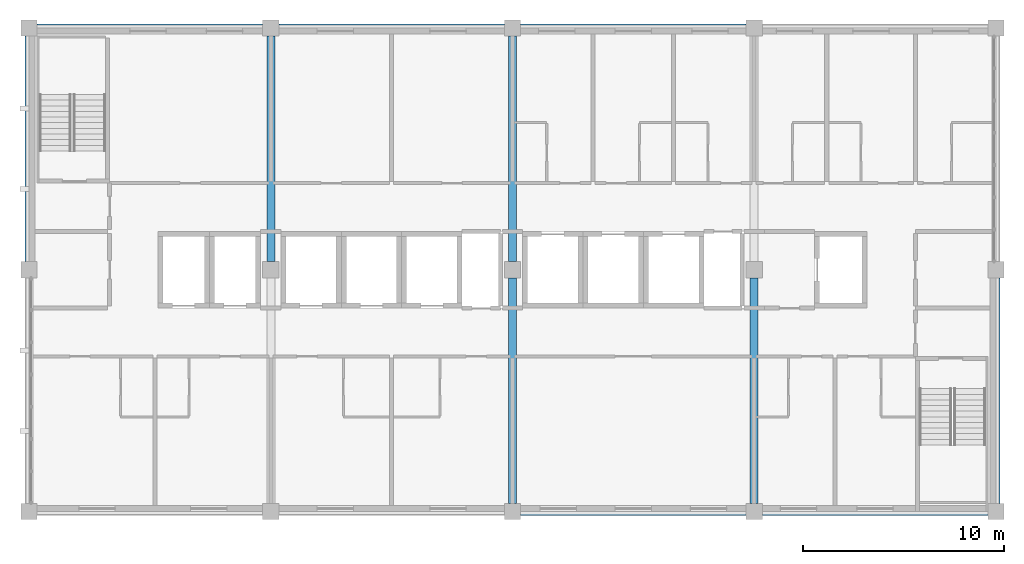
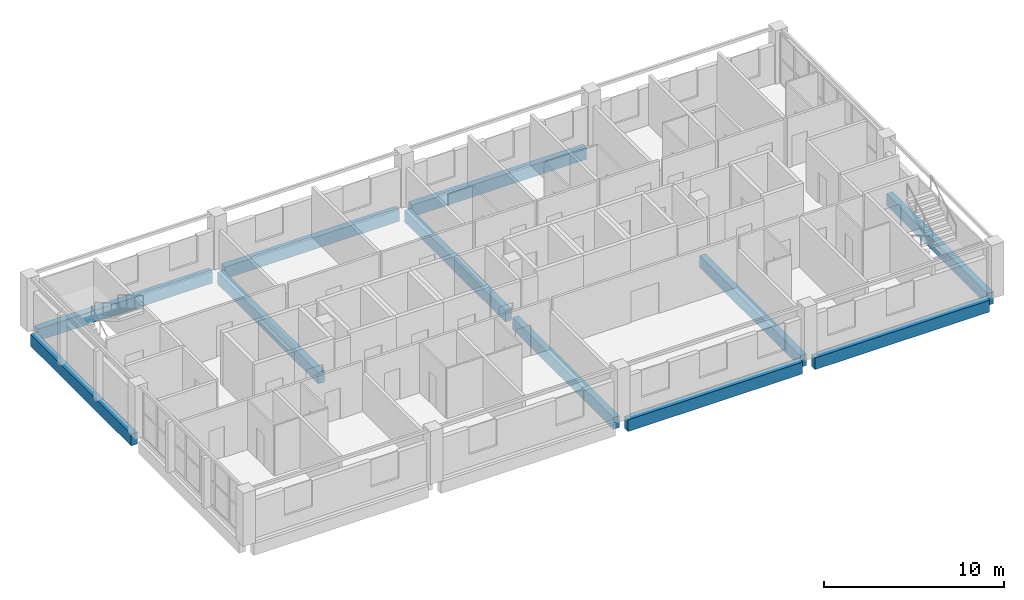
# One storey, part 3 of 11: 11 beams.
"""IFC4 building model written with IfcOpenShell, lengths in metres."""

from ifc_helpers import new_model, si_unit, direction, frame, origin, origin_2d, place, context, subcontext, project, spatial, rectangle, extrude, material, material_profile, profile_set, type_object, element, save


model = new_model("IFC4")

# Units and contexts
model_context = context("Model", 3, precision=1e-05, world=origin(), true_north=direction((0.0, 1.0)))
body_context = subcontext(model_context, "Body", "Model", "MODEL_VIEW")
ifc_project = project(units=[si_unit("LENGTHUNIT", "METRE"), si_unit("AREAUNIT", "SQUARE_METRE"), si_unit("VOLUMEUNIT", "CUBIC_METRE"), si_unit("PLANEANGLEUNIT", "RADIAN"), si_unit("MASSUNIT", "GRAM", prefix="KILO")], contexts=[model_context])

# Site, building, storey
site_placement = place(None, origin())
site = spatial("IfcSite", under=ifc_project, at=site_placement, CompositionType="ELEMENT")
building_placement = place(site_placement, origin())
building = spatial("IfcBuilding", under=site, at=building_placement, Name="Lilac Gate Convention Centre", CompositionType="ELEMENT")
storey_placement = place(building_placement, frame((0.0, 0.0, 39.0)))
storey = spatial("IfcBuildingStorey", under=building, at=storey_placement, Name="L09", CompositionType="ELEMENT", Elevation=39.0)

# Beams
ifc_material = material(Name="Concrete C40", Category="concrete")
ifc_material_profile = material_profile(ifc_material, rectangle(XDim=0.39990234375, YDim=0.800048828125, at=origin_2d()), Name="RC 400x800")
ifc_profile_set = profile_set([ifc_material_profile], Name="Concrete C40")
beam_type = type_object("IfcBeamType", Name="Tower primary beam 400x800 C40", PredefinedType="BEAM", material=ifc_profile_set)
for number, where, z_axis, x_axis, name in (
    (1, (66.39990234375, 222.0, -0.60009765625), (1.0, 0.0, 0.0), (0.0, 1.0, 0.0), "RB3 L09 6/S-7/S"),
    (2, (78.39990234375, 222.0, -0.60009765625), (1.0, 0.0, 0.0), (0.0, 1.0, 0.0), "RB3 L09 7/S-8/S"),
    (3, (42.39990234375, 246.0, -0.60009765625), (1.0, 0.0, 0.0), (0.0, 1.0, 0.0), "RB3 L09 4/U-5/U"),
    (4, (54.39990234375, 246.0, -0.60009765625), (1.0, 0.0, 0.0), (0.0, 1.0, 0.0), "RB3 L09 5/U-6/U"),
    (5, (66.39990234375, 246.0, -0.60009765625), (1.0, 0.0, 0.0), (0.0, 1.0, 0.0), "RB3 L09 6/U-7/U"),
    (6, (42.0, 234.39990234375, -0.60009765625), (0.0, 1.0, 0.0), (-1.0, 0.0, 0.0), "RB3 L09 4/T-4/U"),
    (7, (54.0, 234.39990234375, -0.60009765625), (0.0, 1.0, 0.0), (-1.0, 0.0, 0.0), "RB3 L09 5/T-5/U"),
    (8, (66.0, 222.39990234375, -0.60009765625), (0.0, 1.0, 0.0), (-1.0, 0.0, 0.0), "RB3 L09 6/S-6/T"),
    (9, (66.0, 234.39990234375, -0.60009765625), (0.0, 1.0, 0.0), (-1.0, 0.0, 0.0), "RB3 L09 6/T-6/U"),
    (10, (78.0, 222.39990234375, -0.60009765625), (0.0, 1.0, 0.0), (-1.0, 0.0, 0.0), "RB3 L09 7/S-7/T"),
    (11, (90.0, 222.39990234375, -0.60009765625), (0.0, 1.0, 0.0), (-1.0, 0.0, 0.0), "RB3 L09 8/S-8/T"),
):
    element("IfcBeam", number, at=place(storey_placement, frame(where, z_axis=z_axis, x_axis=x_axis)), inside=storey, type_object=beam_type, Name=name, PredefinedType="BEAM", context=body_context, shape_type="SweptSolid", body=[
        extrude(rectangle(XDim=0.39990234375, YDim=0.800048828125, at=origin_2d()), origin(), (0.0, 0.0, 1.0), 11.2001953125),
    ])

save(model, "model.ifc")
